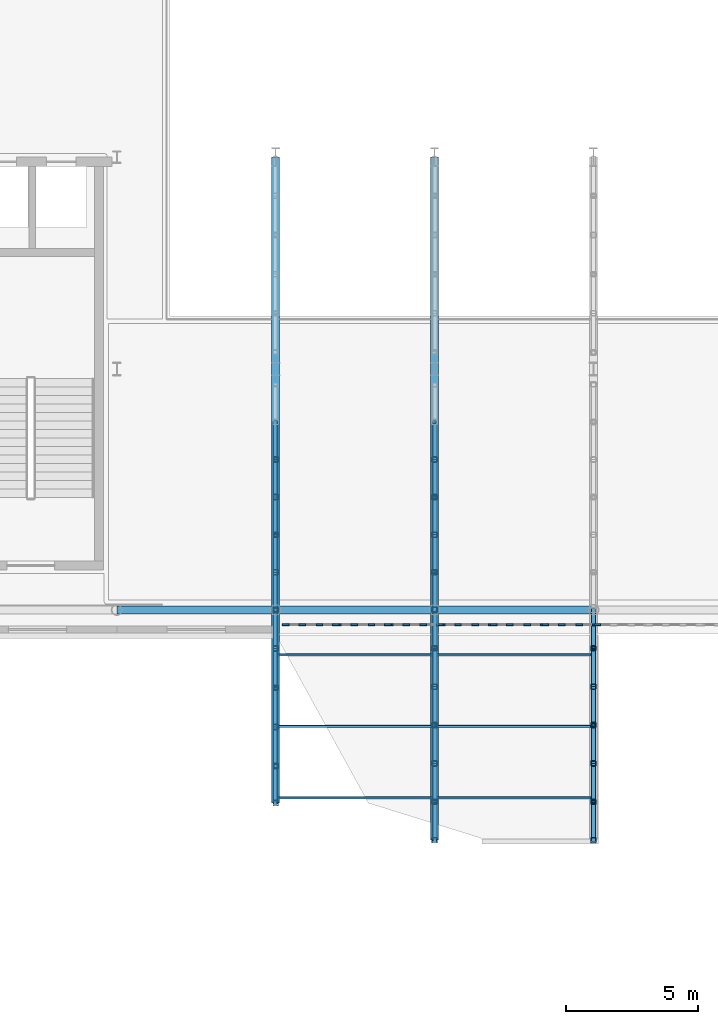
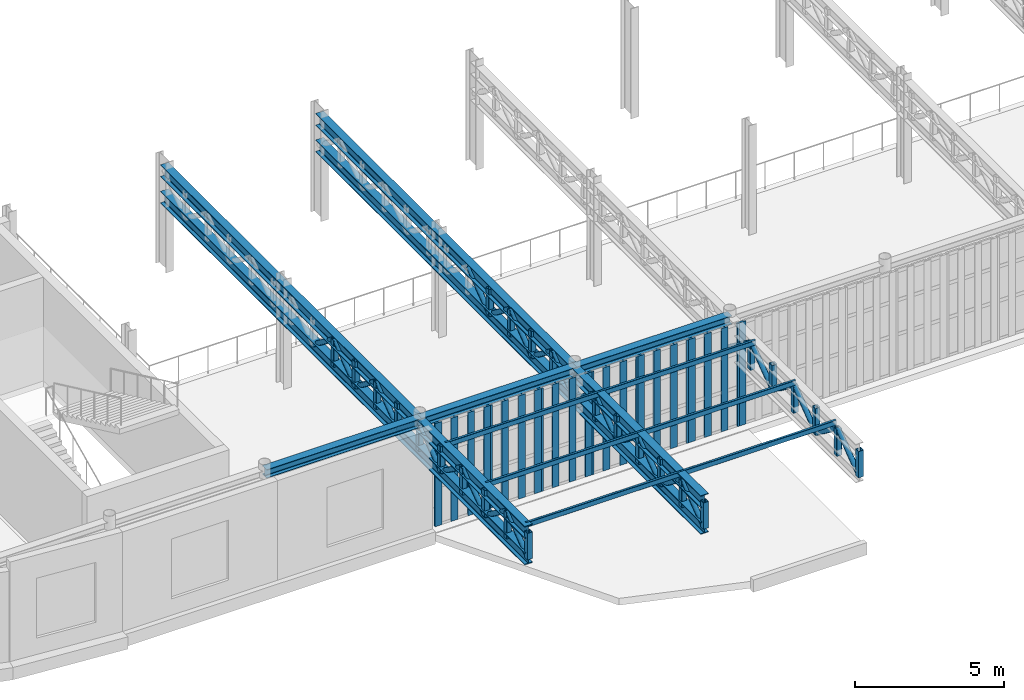
# One storey, part 21 of 91: 89 members, 3 beams, 7 elements without a shape of their own.
"""IFC4 building model written with IfcOpenShell, lengths in metres."""

from ifc_helpers import new_model, si_unit, direction, frame, origin, origin_2d, place, context, subcontext, project, spatial, rectangle, hollow_rectangle, hollow_circle, i_section, extrude, material, material_profile, profile_set, type_object, element, aggregate, save


model = new_model("IFC4")

# Units and contexts
model_context = context("Model", 3, precision=1e-05, world=origin(), true_north=direction((0.0, 1.0)))
body_context = subcontext(model_context, "Body", "Model", "MODEL_VIEW")
ifc_project = project(units=[si_unit("LENGTHUNIT", "METRE"), si_unit("AREAUNIT", "SQUARE_METRE"), si_unit("VOLUMEUNIT", "CUBIC_METRE"), si_unit("PLANEANGLEUNIT", "RADIAN"), si_unit("MASSUNIT", "GRAM", prefix="KILO")], contexts=[model_context])

# Site, building, storey
site_placement = place(None, origin())
site = spatial("IfcSite", under=ifc_project, at=site_placement, CompositionType="ELEMENT")
building_placement = place(site_placement, origin())
building = spatial("IfcBuilding", under=site, at=building_placement, Name="Kolvaren Corner Interchange", CompositionType="ELEMENT")
storey_placement = place(building_placement, frame((0.0, 0.0, 6.0)))
storey = spatial("IfcBuildingStorey", under=building, at=storey_placement, Name="L02", CompositionType="ELEMENT", Elevation=6.0)

# Beams
ifc_material_1 = material(Name="Steel S355", Category="steel")
ifc_material_profile_1 = material_profile(ifc_material_1, i_section(OverallWidth=0.300048828125, OverallDepth=0.35009765625, WebThickness=0.010009765625, FlangeThickness=0.017578125, FilletRadius=0.027099609375, at=origin_2d()), Name="HEA 360")
ifc_profile_set_1 = profile_set([ifc_material_profile_1], Name="Steel S355")
beam_type = type_object("IfcBeamType", Name="BM-HEA360", PredefinedType="BEAM", material=ifc_profile_set_1)
for number, where, z_axis, x_axis, name in (
    (1, (66.0, 24.89990234375, 4.074951171875), (1.0, 0.0, 0.0), (0.0, 1.0, 0.0), "Storey L02 Grid X Primary Girder 0542"),
    (2, (72.0, 24.89990234375, 4.074951171875), (1.0, 0.0, 0.0), (0.0, 1.0, 0.0), "Storey L02 Grid X Primary Girder 0543"),
    (3, (78.0, 24.89990234375, 4.074951171875), (1.0, 0.0, 0.0), (0.0, 1.0, 0.0), "Storey L02 Grid X Primary Girder 0544"),
):
    element("IfcBeam", number, at=place(storey_placement, frame(where, z_axis=z_axis, x_axis=x_axis)), inside=storey, type_object=beam_type, Name=name, PredefinedType="BEAM", context=body_context, shape_type="SweptSolid", body=[
        extrude(i_section(OverallWidth=0.300048828125, OverallDepth=0.35009765625, WebThickness=0.010009765625, FlangeThickness=0.017578125, FilletRadius=0.027099609375, at=origin_2d()), origin(), (0.0, 0.0, 1.0), 6.0),
    ])

# Members
ifc_material_2 = material(Name="Steel S355", Category="steel")
ifc_material_profile_2 = material_profile(ifc_material_2, hollow_circle(Radius=0.096923828125, WallThickness=0.010009765625, at=origin_2d()), Name="CHS 193.7x10.0")
ifc_profile_set_2 = profile_set([ifc_material_profile_2], Name="Steel S355")
member_type_1 = type_object("IfcMemberType", Name="MEM-BR-CHS194", PredefinedType="BRACE", material=ifc_profile_set_2)
member_1_placement = place(storey_placement, frame((72.0, 17.60009765625, 2.889892578125), z_axis=(0.0, 0.791740279058, 0.610857864415), x_axis=(-1.0, 0.0, 0.0)))
element("IfcMember", 4, at=member_1_placement, inside=storey, type_object=member_type_1, Name="South Portal Cantilever Roof Truss L03 Line 1 Diagonal 01", PredefinedType="BRACE", context=body_context, shape_type="SweptSolid", body=[
    extrude(hollow_circle(Radius=0.096923828125, WallThickness=0.010009765625, at=origin_2d()), origin(), (0.0, 0.0, 1.0), 1.76806640625),
])
for number, where, z_axis, x_axis, name in (
    (5, (72.0, 19.0, 3.969970703125), (0.0, 0.807766939163, -0.589501969458), (-1.0, 0.0, 0.0), "South Portal Cantilever Roof Truss L03 Line 1 Diagonal 02"),
    (6, (72.0, 20.47998046875, 2.889892578125), (0.0, 0.807766939163, 0.589501969458), (-1.0, 0.0, 0.0), "South Portal Cantilever Roof Truss L03 Line 1 Diagonal 03"),
    (7, (72.0, 21.9599609375, 3.969970703125), (0.0, 0.807766939163, -0.589501969458), (-1.0, 0.0, 0.0), "South Portal Cantilever Roof Truss L03 Line 1 Diagonal 04"),
):
    element("IfcMember", number, at=place(storey_placement, frame(where, z_axis=z_axis, x_axis=x_axis)), inside=storey, type_object=member_type_1, Name=name, PredefinedType="BRACE", context=body_context, shape_type="SweptSolid", body=[
        extrude(hollow_circle(Radius=0.096923828125, WallThickness=0.010009765625, at=origin_2d()), origin(), (0.0, 0.0, 1.0), 1.832275390625),
    ])
member_2_placement = place(storey_placement, frame((72.0, 23.43994140625, 2.889892578125), z_axis=(0.0, 0.803919029911, 0.594738760589), x_axis=(-1.0, 0.0, 0.0)))
element("IfcMember", 8, at=member_2_placement, inside=storey, type_object=member_type_1, Name="South Portal Cantilever Roof Truss L03 Line 1 Diagonal 05", PredefinedType="BRACE", context=body_context, shape_type="SweptSolid", body=[
    extrude(hollow_circle(Radius=0.096923828125, WallThickness=0.010009765625, at=origin_2d()), origin(), (0.0, 0.0, 1.0), 1.816162109375),
])
member_3_placement = place(storey_placement, frame((72.0, 24.89990234375, 3.969970703125), z_axis=(0.0, 0.795959119821, -0.605350377529), x_axis=(-1.0, 0.0, 0.0)))
element("IfcMember", 9, at=member_3_placement, inside=storey, type_object=member_type_1, Name="South Portal Cantilever Roof Truss L03 Line 1 Diagonal 06", PredefinedType="BRACE", context=body_context, shape_type="SweptSolid", body=[
    extrude(hollow_circle(Radius=0.096923828125, WallThickness=0.010009765625, at=origin_2d()), origin(), (0.0, 0.0, 1.0), 1.7841796875),
])
for number, where, z_axis, x_axis, name in (
    (10, (72.0, 26.320068359375, 2.889892578125), (0.0, 0.795908969203, 0.605416313575), (-1.0, 0.0, 0.0), "South Portal Cantilever Roof Truss L03 Line 1 Diagonal 07"),
    (11, (72.0, 27.739990234375, 3.969970703125), (0.0, 0.795908969203, -0.605416313575), (-1.0, 0.0, 0.0), "South Portal Cantilever Roof Truss L03 Line 1 Diagonal 08"),
):
    element("IfcMember", number, at=place(storey_placement, frame(where, z_axis=z_axis, x_axis=x_axis)), inside=storey, type_object=member_type_1, Name=name, PredefinedType="BRACE", context=body_context, shape_type="SweptSolid", body=[
        extrude(hollow_circle(Radius=0.096923828125, WallThickness=0.010009765625, at=origin_2d()), origin(), (0.0, 0.0, 1.0), 1.783935546875),
    ])
member_4_placement = place(storey_placement, frame((72.0, 29.159912109375, 2.889892578125), z_axis=(0.0, 0.795959119821, 0.605350377529), x_axis=(-1.0, 0.0, 0.0)))
element("IfcMember", 12, at=member_4_placement, inside=storey, type_object=member_type_1, Name="South Portal Cantilever Roof Truss L03 Line 1 Diagonal 09", PredefinedType="BRACE", context=body_context, shape_type="SweptSolid", body=[
    extrude(hollow_circle(Radius=0.096923828125, WallThickness=0.010009765625, at=origin_2d()), origin(), (0.0, 0.0, 1.0), 1.7841796875),
])
member_5_placement = place(storey_placement, frame((72.0, 30.580078125, 3.969970703125), z_axis=(0.0, 0.795908969203, -0.605416313575), x_axis=(-1.0, 0.0, 0.0)))
element("IfcMember", 13, at=member_5_placement, inside=storey, type_object=member_type_1, Name="South Portal Cantilever Roof Truss L03 Line 1 Diagonal 10", PredefinedType="BRACE", context=body_context, shape_type="SweptSolid", body=[
    extrude(hollow_circle(Radius=0.096923828125, WallThickness=0.010009765625, at=origin_2d()), origin(), (0.0, 0.0, 1.0), 1.783935546875),
])
for number, where, z_axis, x_axis, name in (
    (14, (78.0, 16.199951171875, 2.889892578125), (0.0, 0.801956396571, 0.59738257256), (-1.0, 0.0, 0.0), "South Portal Cantilever Roof Truss L03 Line 2 Diagonal 01"),
    (15, (78.0, 17.64990234375, 3.969970703125), (0.0, 0.802004577147, -0.597317887088), (-1.0, 0.0, 0.0), "South Portal Cantilever Roof Truss L03 Line 2 Diagonal 02"),
    (16, (78.0, 19.10009765625, 2.889892578125), (0.0, 0.801956396571, 0.59738257256), (-1.0, 0.0, 0.0), "South Portal Cantilever Roof Truss L03 Line 2 Diagonal 03"),
    (17, (78.0, 20.550048828125, 3.969970703125), (0.0, 0.801956396571, -0.59738257256), (-1.0, 0.0, 0.0), "South Portal Cantilever Roof Truss L03 Line 2 Diagonal 04"),
    (18, (78.0, 22.0, 2.889892578125), (0.0, 0.801956396571, 0.59738257256), (-1.0, 0.0, 0.0), "South Portal Cantilever Roof Truss L03 Line 2 Diagonal 05"),
    (19, (78.0, 23.449951171875, 3.969970703125), (0.0, 0.801956396571, -0.59738257256), (-1.0, 0.0, 0.0), "South Portal Cantilever Roof Truss L03 Line 2 Diagonal 06"),
):
    element("IfcMember", number, at=place(storey_placement, frame(where, z_axis=z_axis, x_axis=x_axis)), inside=storey, type_object=member_type_1, Name=name, PredefinedType="BRACE", context=body_context, shape_type="SweptSolid", body=[
        extrude(hollow_circle(Radius=0.096923828125, WallThickness=0.010009765625, at=origin_2d()), origin(), (0.0, 0.0, 1.0), 1.80810546875),
    ])
member_6_placement = place(storey_placement, frame((78.0, 24.89990234375, 2.889892578125), z_axis=(0.0, 0.795959119821, 0.605350377529), x_axis=(-1.0, 0.0, 0.0)))
element("IfcMember", 20, at=member_6_placement, inside=storey, type_object=member_type_1, Name="South Portal Cantilever Roof Truss L03 Line 2 Diagonal 07", PredefinedType="BRACE", context=body_context, shape_type="SweptSolid", body=[
    extrude(hollow_circle(Radius=0.096923828125, WallThickness=0.010009765625, at=origin_2d()), origin(), (0.0, 0.0, 1.0), 1.7841796875),
])
for number, where, z_axis, x_axis, name in (
    (21, (78.0, 26.320068359375, 3.969970703125), (0.0, 0.795908969203, -0.605416313575), (-1.0, 0.0, 0.0), "South Portal Cantilever Roof Truss L03 Line 2 Diagonal 08"),
    (22, (78.0, 27.739990234375, 2.889892578125), (0.0, 0.795908969203, 0.605416313575), (-1.0, 0.0, 0.0), "South Portal Cantilever Roof Truss L03 Line 2 Diagonal 09"),
):
    element("IfcMember", number, at=place(storey_placement, frame(where, z_axis=z_axis, x_axis=x_axis)), inside=storey, type_object=member_type_1, Name=name, PredefinedType="BRACE", context=body_context, shape_type="SweptSolid", body=[
        extrude(hollow_circle(Radius=0.096923828125, WallThickness=0.010009765625, at=origin_2d()), origin(), (0.0, 0.0, 1.0), 1.783935546875),
    ])
member_7_placement = place(storey_placement, frame((78.0, 29.159912109375, 3.969970703125), z_axis=(0.0, 0.795959119821, -0.605350377529), x_axis=(-1.0, 0.0, 0.0)))
element("IfcMember", 23, at=member_7_placement, inside=storey, type_object=member_type_1, Name="South Portal Cantilever Roof Truss L03 Line 2 Diagonal 10", PredefinedType="BRACE", context=body_context, shape_type="SweptSolid", body=[
    extrude(hollow_circle(Radius=0.096923828125, WallThickness=0.010009765625, at=origin_2d()), origin(), (0.0, 0.0, 1.0), 1.7841796875),
])
member_8_placement = place(storey_placement, frame((78.0, 30.580078125, 2.889892578125), z_axis=(0.0, 0.795908969203, 0.605416313575), x_axis=(-1.0, 0.0, 0.0)))
element("IfcMember", 24, at=member_8_placement, inside=storey, type_object=member_type_1, Name="South Portal Cantilever Roof Truss L03 Line 2 Diagonal 11", PredefinedType="BRACE", context=body_context, shape_type="SweptSolid", body=[
    extrude(hollow_circle(Radius=0.096923828125, WallThickness=0.010009765625, at=origin_2d()), origin(), (0.0, 0.0, 1.0), 1.783935546875),
])
for number, where, z_axis, x_axis, name in (
    (25, (84.0, 16.199951171875, 2.889892578125), (0.0, 0.801956396571, 0.59738257256), (-1.0, 0.0, 0.0), "South Portal Cantilever Roof Truss L03 Line 3 Diagonal 01"),
    (26, (84.0, 17.64990234375, 3.969970703125), (0.0, 0.802004577147, -0.597317887088), (-1.0, 0.0, 0.0), "South Portal Cantilever Roof Truss L03 Line 3 Diagonal 02"),
    (27, (84.0, 19.10009765625, 2.889892578125), (0.0, 0.801956396571, 0.59738257256), (-1.0, 0.0, 0.0), "South Portal Cantilever Roof Truss L03 Line 3 Diagonal 03"),
    (28, (84.0, 20.550048828125, 3.969970703125), (0.0, 0.801956396571, -0.59738257256), (-1.0, 0.0, 0.0), "South Portal Cantilever Roof Truss L03 Line 3 Diagonal 04"),
    (29, (84.0, 22.0, 2.889892578125), (0.0, 0.801956396571, 0.59738257256), (-1.0, 0.0, 0.0), "South Portal Cantilever Roof Truss L03 Line 3 Diagonal 05"),
    (30, (84.0, 23.449951171875, 3.969970703125), (0.0, 0.801956396571, -0.59738257256), (-1.0, 0.0, 0.0), "South Portal Cantilever Roof Truss L03 Line 3 Diagonal 06"),
):
    element("IfcMember", number, at=place(storey_placement, frame(where, z_axis=z_axis, x_axis=x_axis)), inside=storey, type_object=member_type_1, Name=name, PredefinedType="BRACE", context=body_context, shape_type="SweptSolid", body=[
        extrude(hollow_circle(Radius=0.096923828125, WallThickness=0.010009765625, at=origin_2d()), origin(), (0.0, 0.0, 1.0), 1.80810546875),
    ])
ifc_material_3 = material(Name="Steel S355", Category="steel")
ifc_material_profile_3 = material_profile(ifc_material_3, i_section(OverallWidth=0.300048828125, OverallDepth=0.5, WebThickness=0.014404296875, FlangeThickness=0.028076171875, FilletRadius=0.027099609375, at=origin_2d()), Name="HEB 500")
ifc_profile_set_3 = profile_set([ifc_material_profile_3], Name="Steel S355")
member_type_2 = type_object("IfcMemberType", Name="MEM-CH-HEB500", PredefinedType="CHORD", material=ifc_profile_set_3)
for number, where, z_axis, x_axis, name in (
    (31, (72.0, 17.60009765625, 3.969970703125), (0.0, 1.0, 0.0), (-1.0, 0.0, 0.0), "South Portal Cantilever Roof Truss L03 Line 1 Top Chord"),
    (32, (72.0, 17.60009765625, 2.889892578125), (0.0, 1.0, 0.0), (-1.0, 0.0, 0.0), "South Portal Cantilever Roof Truss L03 Line 1 Bottom Chord"),
):
    element("IfcMember", number, at=place(storey_placement, frame(where, z_axis=z_axis, x_axis=x_axis)), inside=storey, type_object=member_type_2, Name=name, PredefinedType="CHORD", context=body_context, shape_type="SweptSolid", body=[
        extrude(i_section(OverallWidth=0.300048828125, OverallDepth=0.5, WebThickness=0.014404296875, FlangeThickness=0.028076171875, FilletRadius=0.027099609375, at=origin_2d()), origin(), (0.0, 0.0, 1.0), 24.39990234375),
    ])
for number, where, z_axis, x_axis, name in (
    (33, (78.0, 16.199951171875, 3.969970703125), (0.0, 1.0, 0.0), (-1.0, 0.0, 0.0), "South Portal Cantilever Roof Truss L03 Line 2 Top Chord"),
    (34, (78.0, 16.199951171875, 2.889892578125), (0.0, 1.0, 0.0), (-1.0, 0.0, 0.0), "South Portal Cantilever Roof Truss L03 Line 2 Bottom Chord"),
):
    element("IfcMember", number, at=place(storey_placement, frame(where, z_axis=z_axis, x_axis=x_axis)), inside=storey, type_object=member_type_2, Name=name, PredefinedType="CHORD", context=body_context, shape_type="SweptSolid", body=[
        extrude(i_section(OverallWidth=0.300048828125, OverallDepth=0.5, WebThickness=0.014404296875, FlangeThickness=0.028076171875, FilletRadius=0.027099609375, at=origin_2d()), origin(), (0.0, 0.0, 1.0), 25.800048828125),
    ])
ifc_material_4 = material(Name="Steel S355", Category="steel")
ifc_material_profile_4 = material_profile(ifc_material_4, hollow_rectangle(XDim=0.10009765625, YDim=0.199951171875, WallThickness=0.008056640625, InnerFilletRadius=0.008056640625, OuterFilletRadius=0.01611328125, at=origin_2d()), Name="RHS 200x100x8.0")
ifc_profile_set_4 = profile_set([ifc_material_profile_4], Name="Steel S355")
member_type_3 = type_object("IfcMemberType", Name="MEM-PR-RHS200", PredefinedType="PURLIN", material=ifc_profile_set_4)
for number, where, z_axis, x_axis, name in (
    (35, (72.0, 17.800048828125, 4.1201171875), (1.0, 0.0, 0.0), (0.0, 1.0, 0.0), "South Portal Cantilever Roof Truss L03 Purlin 1 Bay 72"),
    (36, (78.0, 17.800048828125, 4.1201171875), (1.0, 0.0, 0.0), (0.0, 1.0, 0.0), "South Portal Cantilever Roof Truss L03 Purlin 1 Bay 78"),
    (37, (72.0, 20.5, 4.1201171875), (1.0, 0.0, 0.0), (0.0, 1.0, 0.0), "South Portal Cantilever Roof Truss L03 Purlin 2 Bay 72"),
    (38, (78.0, 20.5, 4.1201171875), (1.0, 0.0, 0.0), (0.0, 1.0, 0.0), "South Portal Cantilever Roof Truss L03 Purlin 2 Bay 78"),
    (39, (72.0, 23.199951171875, 4.1201171875), (1.0, 0.0, 0.0), (0.0, 1.0, 0.0), "South Portal Cantilever Roof Truss L03 Purlin 3 Bay 72"),
    (40, (78.0, 23.199951171875, 4.1201171875), (1.0, 0.0, 0.0), (0.0, 1.0, 0.0), "South Portal Cantilever Roof Truss L03 Purlin 3 Bay 78"),
):
    element("IfcMember", number, at=place(storey_placement, frame(where, z_axis=z_axis, x_axis=x_axis)), inside=storey, type_object=member_type_3, Name=name, PredefinedType="PURLIN", context=body_context, shape_type="SweptSolid", body=[
        extrude(hollow_rectangle(XDim=0.10009765625, YDim=0.199951171875, WallThickness=0.008056640625, InnerFilletRadius=0.008056640625, OuterFilletRadius=0.01611328125, at=origin_2d()), origin(), (0.0, 0.0, 1.0), 6.0),
    ])
ifc_material_5 = material(Name="Steel S355", Category="steel")
ifc_material_profile_5 = material_profile(ifc_material_5, hollow_rectangle(XDim=0.199951171875, YDim=0.199951171875, WallThickness=0.010009765625, InnerFilletRadius=0.010009765625, OuterFilletRadius=0.02001953125, at=origin_2d()), Name="SHS 200x200x10.0")
ifc_profile_set_5 = profile_set([ifc_material_profile_5], Name="Steel S355")
member_type_4 = type_object("IfcMemberType", Name="MEM-PT-SHS200", PredefinedType="POST", material=ifc_profile_set_5)
for number, where, z_axis, x_axis, name in (
    (41, (72.0, 17.60009765625, 2.889892578125), (0.0, 0.0, 1.0), (1.0, 0.0, 0.0), "South Portal Cantilever Roof Truss L03 Line 1 Web Post 01"),
    (42, (72.0, 19.0, 2.889892578125), (0.0, 0.0, 1.0), (1.0, 0.0, 0.0), "South Portal Cantilever Roof Truss L03 Line 1 Web Post 02"),
    (43, (72.0, 20.47998046875, 2.889892578125), (0.0, 0.0, 1.0), (1.0, 0.0, 0.0), "South Portal Cantilever Roof Truss L03 Line 1 Web Post 03"),
    (44, (72.0, 21.9599609375, 2.889892578125), (0.0, 0.0, 1.0), (1.0, 0.0, 0.0), "South Portal Cantilever Roof Truss L03 Line 1 Web Post 04"),
    (45, (72.0, 23.43994140625, 2.889892578125), (0.0, 0.0, 1.0), (1.0, 0.0, 0.0), "South Portal Cantilever Roof Truss L03 Line 1 Web Post 05"),
    (46, (72.0, 24.89990234375, 2.889892578125), (0.0, 0.0, 1.0), (1.0, 0.0, 0.0), "South Portal Cantilever Roof Truss L03 Line 1 Web Post 06"),
    (47, (72.0, 26.320068359375, 2.889892578125), (0.0, 0.0, 1.0), (1.0, 0.0, 0.0), "South Portal Cantilever Roof Truss L03 Line 1 Web Post 07"),
    (48, (72.0, 27.739990234375, 2.889892578125), (0.0, 0.0, 1.0), (1.0, 0.0, 0.0), "South Portal Cantilever Roof Truss L03 Line 1 Web Post 08"),
    (49, (72.0, 29.159912109375, 2.889892578125), (0.0, 0.0, 1.0), (1.0, 0.0, 0.0), "South Portal Cantilever Roof Truss L03 Line 1 Web Post 09"),
    (50, (72.0, 30.580078125, 2.889892578125), (0.0, 0.0, 1.0), (1.0, 0.0, 0.0), "South Portal Cantilever Roof Truss L03 Line 1 Web Post 10"),
    (51, (78.0, 16.199951171875, 2.889892578125), (0.0, 0.0, 1.0), (1.0, 0.0, 0.0), "South Portal Cantilever Roof Truss L03 Line 2 Web Post 01"),
    (52, (78.0, 17.64990234375, 2.889892578125), (0.0, 0.0, 1.0), (1.0, 0.0, 0.0), "South Portal Cantilever Roof Truss L03 Line 2 Web Post 02"),
    (53, (78.0, 19.10009765625, 2.889892578125), (0.0, 0.0, 1.0), (1.0, 0.0, 0.0), "South Portal Cantilever Roof Truss L03 Line 2 Web Post 03"),
    (54, (78.0, 20.550048828125, 2.889892578125), (0.0, 0.0, 1.0), (1.0, 0.0, 0.0), "South Portal Cantilever Roof Truss L03 Line 2 Web Post 04"),
    (55, (78.0, 22.0, 2.889892578125), (0.0, 0.0, 1.0), (1.0, 0.0, 0.0), "South Portal Cantilever Roof Truss L03 Line 2 Web Post 05"),
    (56, (78.0, 23.449951171875, 2.889892578125), (0.0, 0.0, 1.0), (1.0, 0.0, 0.0), "South Portal Cantilever Roof Truss L03 Line 2 Web Post 06"),
    (57, (78.0, 24.89990234375, 2.889892578125), (0.0, 0.0, 1.0), (1.0, 0.0, 0.0), "South Portal Cantilever Roof Truss L03 Line 2 Web Post 07"),
    (58, (78.0, 26.320068359375, 2.889892578125), (0.0, 0.0, 1.0), (1.0, 0.0, 0.0), "South Portal Cantilever Roof Truss L03 Line 2 Web Post 08"),
    (59, (78.0, 27.739990234375, 2.889892578125), (0.0, 0.0, 1.0), (1.0, 0.0, 0.0), "South Portal Cantilever Roof Truss L03 Line 2 Web Post 09"),
    (60, (78.0, 29.159912109375, 2.889892578125), (0.0, 0.0, 1.0), (1.0, 0.0, 0.0), "South Portal Cantilever Roof Truss L03 Line 2 Web Post 10"),
    (61, (78.0, 30.580078125, 2.889892578125), (0.0, 0.0, 1.0), (1.0, 0.0, 0.0), "South Portal Cantilever Roof Truss L03 Line 2 Web Post 11"),
    (62, (84.0, 16.199951171875, 2.889892578125), (0.0, 0.0, 1.0), (1.0, 0.0, 0.0), "South Portal Cantilever Roof Truss L03 Line 3 Web Post 01"),
    (63, (84.0, 17.64990234375, 2.889892578125), (0.0, 0.0, 1.0), (1.0, 0.0, 0.0), "South Portal Cantilever Roof Truss L03 Line 3 Web Post 02"),
    (64, (84.0, 19.10009765625, 2.889892578125), (0.0, 0.0, 1.0), (1.0, 0.0, 0.0), "South Portal Cantilever Roof Truss L03 Line 3 Web Post 03"),
    (65, (84.0, 20.550048828125, 2.889892578125), (0.0, 0.0, 1.0), (1.0, 0.0, 0.0), "South Portal Cantilever Roof Truss L03 Line 3 Web Post 04"),
    (66, (84.0, 22.0, 2.889892578125), (0.0, 0.0, 1.0), (1.0, 0.0, 0.0), "South Portal Cantilever Roof Truss L03 Line 3 Web Post 05"),
    (67, (84.0, 23.449951171875, 2.889892578125), (0.0, 0.0, 1.0), (1.0, 0.0, 0.0), "South Portal Cantilever Roof Truss L03 Line 3 Web Post 06"),
):
    element("IfcMember", number, at=place(storey_placement, frame(where, z_axis=z_axis, x_axis=x_axis)), inside=storey, type_object=member_type_4, Name=name, PredefinedType="POST", context=body_context, shape_type="SweptSolid", body=[
        extrude(hollow_rectangle(XDim=0.199951171875, YDim=0.199951171875, WallThickness=0.010009765625, InnerFilletRadius=0.010009765625, OuterFilletRadius=0.02001953125, at=origin_2d()), origin(), (0.0, 0.0, 1.0), 1.080078125),
    ])

# Curtain wall, members
ifc_material_6 = material(Name="Unitised Aluminium and Solar-Control Glass Curtain Wall", Category="aluminium")
curtain_wall_type = type_object("IfcCurtainWallType", Name="CW-V1-MEZZ", PredefinedType="NOTDEFINED", material=ifc_material_6)
curtain_wall_1_placement = place(storey_placement, origin())
curtain_wall_1 = element("IfcCurtainWall", 68, at=curtain_wall_1_placement, inside=storey, type_object=curtain_wall_type, Name="South Portal Mezzanine Curtain Wall Bay 01", PredefinedType="NOTDEFINED")
ifc_material_7 = material(Name="Anodised Aluminium Framing", Category="aluminium")
ifc_material_profile_6 = material_profile(ifc_material_7, rectangle(XDim=0.074951171875, YDim=0.260009765625, at=origin_2d()), Name="ALU 75x260")
ifc_profile_set_6 = profile_set([ifc_material_profile_6], Name="Anodised Aluminium Framing")
member_type_5 = type_object("IfcMemberType", Name="MUL-ALU75x260", PredefinedType="MULLION", material=ifc_profile_set_6)
member_9_placement = place(storey_placement, frame((72.387451171875, 24.340087890625, 0.0), z_axis=(0.0, 0.0, 1.0), x_axis=(0.0, 1.0, 0.0)))
member_9 = element("IfcMember", 69, at=member_9_placement, type_object=member_type_5, Name="CW-019 mullion 1", PredefinedType="MULLION", context=body_context, shape_type="SweptSolid", body=[
    extrude(rectangle(XDim=0.074951171875, YDim=0.260009765625, at=origin_2d()), origin(), (0.0, 0.0, 1.0), 4.219970703125),
])
member_10_placement = place(storey_placement, frame((73.003662109375, 24.340087890625, 0.0), z_axis=(0.0, 0.0, 1.0), x_axis=(0.0, 1.0, 0.0)))
member_10 = element("IfcMember", 70, at=member_10_placement, type_object=member_type_5, Name="CW-019 mullion 2", PredefinedType="MULLION", context=body_context, shape_type="SweptSolid", body=[
    extrude(rectangle(XDim=0.074951171875, YDim=0.260009765625, at=origin_2d()), origin(), (0.0, 0.0, 1.0), 4.219970703125),
])
member_11_placement = place(storey_placement, frame((73.657470703125, 24.340087890625, 0.0), z_axis=(0.0, 0.0, 1.0), x_axis=(0.0, 1.0, 0.0)))
member_11 = element("IfcMember", 71, at=member_11_placement, type_object=member_type_5, Name="CW-019 mullion 3", PredefinedType="MULLION", context=body_context, shape_type="SweptSolid", body=[
    extrude(rectangle(XDim=0.074951171875, YDim=0.260009765625, at=origin_2d()), origin(), (0.0, 0.0, 1.0), 4.219970703125),
])
member_12_placement = place(storey_placement, frame((74.273681640625, 24.340087890625, 0.0), z_axis=(0.0, 0.0, 1.0), x_axis=(0.0, 1.0, 0.0)))
member_12 = element("IfcMember", 72, at=member_12_placement, type_object=member_type_5, Name="CW-019 mullion 4", PredefinedType="MULLION", context=body_context, shape_type="SweptSolid", body=[
    extrude(rectangle(XDim=0.074951171875, YDim=0.260009765625, at=origin_2d()), origin(), (0.0, 0.0, 1.0), 4.219970703125),
])
aggregate(curtain_wall_1, [member_9, member_10, member_11, member_12])

curtain_wall_2_placement = place(storey_placement, origin())
curtain_wall_2 = element("IfcCurtainWall", 73, at=curtain_wall_2_placement, inside=storey, type_object=curtain_wall_type, Name="South Portal Mezzanine Curtain Wall Bay 02", PredefinedType="NOTDEFINED")
member_13_placement = place(storey_placement, frame((74.3486328125, 24.340087890625, 0.0), z_axis=(0.0, 0.0, 1.0), x_axis=(0.0, 1.0, 0.0)))
member_13 = element("IfcMember", 74, at=member_13_placement, type_object=member_type_5, Name="CW-020 mullion 1", PredefinedType="MULLION", context=body_context, shape_type="SweptSolid", body=[
    extrude(rectangle(XDim=0.074951171875, YDim=0.260009765625, at=origin_2d()), origin(), (0.0, 0.0, 1.0), 4.219970703125),
])
member_14_placement = place(storey_placement, frame((74.96484375, 24.340087890625, 0.0), z_axis=(0.0, 0.0, 1.0), x_axis=(0.0, 1.0, 0.0)))
member_14 = element("IfcMember", 75, at=member_14_placement, type_object=member_type_5, Name="CW-020 mullion 2", PredefinedType="MULLION", context=body_context, shape_type="SweptSolid", body=[
    extrude(rectangle(XDim=0.074951171875, YDim=0.260009765625, at=origin_2d()), origin(), (0.0, 0.0, 1.0), 4.219970703125),
])
member_15_placement = place(storey_placement, frame((75.618408203125, 24.340087890625, 0.0), z_axis=(0.0, 0.0, 1.0), x_axis=(0.0, 1.0, 0.0)))
member_15 = element("IfcMember", 76, at=member_15_placement, type_object=member_type_5, Name="CW-020 mullion 3", PredefinedType="MULLION", context=body_context, shape_type="SweptSolid", body=[
    extrude(rectangle(XDim=0.074951171875, YDim=0.260009765625, at=origin_2d()), origin(), (0.0, 0.0, 1.0), 4.219970703125),
])
member_16_placement = place(storey_placement, frame((76.234619140625, 24.340087890625, 0.0), z_axis=(0.0, 0.0, 1.0), x_axis=(0.0, 1.0, 0.0)))
member_16 = element("IfcMember", 77, at=member_16_placement, type_object=member_type_5, Name="CW-020 mullion 4", PredefinedType="MULLION", context=body_context, shape_type="SweptSolid", body=[
    extrude(rectangle(XDim=0.074951171875, YDim=0.260009765625, at=origin_2d()), origin(), (0.0, 0.0, 1.0), 4.219970703125),
])
aggregate(curtain_wall_2, [member_13, member_14, member_15, member_16])

curtain_wall_3_placement = place(storey_placement, origin())
curtain_wall_3 = element("IfcCurtainWall", 78, at=curtain_wall_3_placement, inside=storey, type_object=curtain_wall_type, Name="South Portal Mezzanine Curtain Wall Bay 03", PredefinedType="NOTDEFINED")
member_17_placement = place(storey_placement, frame((76.309814453125, 24.340087890625, 0.0), z_axis=(0.0, 0.0, 1.0), x_axis=(0.0, 1.0, 0.0)))
member_17 = element("IfcMember", 79, at=member_17_placement, type_object=member_type_5, Name="CW-021 mullion 1", PredefinedType="MULLION", context=body_context, shape_type="SweptSolid", body=[
    extrude(rectangle(XDim=0.074951171875, YDim=0.260009765625, at=origin_2d()), origin(), (0.0, 0.0, 1.0), 4.219970703125),
])
member_18_placement = place(storey_placement, frame((76.92578125, 24.340087890625, 0.0), z_axis=(0.0, 0.0, 1.0), x_axis=(0.0, 1.0, 0.0)))
member_18 = element("IfcMember", 80, at=member_18_placement, type_object=member_type_5, Name="CW-021 mullion 2", PredefinedType="MULLION", context=body_context, shape_type="SweptSolid", body=[
    extrude(rectangle(XDim=0.074951171875, YDim=0.260009765625, at=origin_2d()), origin(), (0.0, 0.0, 1.0), 4.219970703125),
])
member_19_placement = place(storey_placement, frame((77.57958984375, 24.340087890625, 0.0), z_axis=(0.0, 0.0, 1.0), x_axis=(0.0, 1.0, 0.0)))
member_19 = element("IfcMember", 81, at=member_19_placement, type_object=member_type_5, Name="CW-021 mullion 3", PredefinedType="MULLION", context=body_context, shape_type="SweptSolid", body=[
    extrude(rectangle(XDim=0.074951171875, YDim=0.260009765625, at=origin_2d()), origin(), (0.0, 0.0, 1.0), 4.219970703125),
])
member_20_placement = place(storey_placement, frame((78.19580078125, 24.340087890625, 0.0), z_axis=(0.0, 0.0, 1.0), x_axis=(0.0, 1.0, 0.0)))
member_20 = element("IfcMember", 82, at=member_20_placement, type_object=member_type_5, Name="CW-021 mullion 4", PredefinedType="MULLION", context=body_context, shape_type="SweptSolid", body=[
    extrude(rectangle(XDim=0.074951171875, YDim=0.260009765625, at=origin_2d()), origin(), (0.0, 0.0, 1.0), 4.219970703125),
])
aggregate(curtain_wall_3, [member_17, member_18, member_19, member_20])

curtain_wall_4_placement = place(storey_placement, origin())
curtain_wall_4 = element("IfcCurtainWall", 83, at=curtain_wall_4_placement, inside=storey, type_object=curtain_wall_type, Name="South Portal Mezzanine Curtain Wall Bay 04", PredefinedType="NOTDEFINED")
member_21_placement = place(storey_placement, frame((78.270751953125, 24.340087890625, 0.0), z_axis=(0.0, 0.0, 1.0), x_axis=(0.0, 1.0, 0.0)))
member_21 = element("IfcMember", 84, at=member_21_placement, type_object=member_type_5, Name="CW-022 mullion 1", PredefinedType="MULLION", context=body_context, shape_type="SweptSolid", body=[
    extrude(rectangle(XDim=0.074951171875, YDim=0.260009765625, at=origin_2d()), origin(), (0.0, 0.0, 1.0), 4.219970703125),
])
member_22_placement = place(storey_placement, frame((78.886962890625, 24.340087890625, 0.0), z_axis=(0.0, 0.0, 1.0), x_axis=(0.0, 1.0, 0.0)))
member_22 = element("IfcMember", 85, at=member_22_placement, type_object=member_type_5, Name="CW-022 mullion 2", PredefinedType="MULLION", context=body_context, shape_type="SweptSolid", body=[
    extrude(rectangle(XDim=0.074951171875, YDim=0.260009765625, at=origin_2d()), origin(), (0.0, 0.0, 1.0), 4.219970703125),
])
member_23_placement = place(storey_placement, frame((79.540771484375, 24.340087890625, 0.0), z_axis=(0.0, 0.0, 1.0), x_axis=(0.0, 1.0, 0.0)))
member_23 = element("IfcMember", 86, at=member_23_placement, type_object=member_type_5, Name="CW-022 mullion 3", PredefinedType="MULLION", context=body_context, shape_type="SweptSolid", body=[
    extrude(rectangle(XDim=0.074951171875, YDim=0.260009765625, at=origin_2d()), origin(), (0.0, 0.0, 1.0), 4.219970703125),
])
member_24_placement = place(storey_placement, frame((80.156982421875, 24.340087890625, 0.0), z_axis=(0.0, 0.0, 1.0), x_axis=(0.0, 1.0, 0.0)))
member_24 = element("IfcMember", 87, at=member_24_placement, type_object=member_type_5, Name="CW-022 mullion 4", PredefinedType="MULLION", context=body_context, shape_type="SweptSolid", body=[
    extrude(rectangle(XDim=0.074951171875, YDim=0.260009765625, at=origin_2d()), origin(), (0.0, 0.0, 1.0), 4.219970703125),
])
aggregate(curtain_wall_4, [member_21, member_22, member_23, member_24])

curtain_wall_5_placement = place(storey_placement, origin())
curtain_wall_5 = element("IfcCurtainWall", 88, at=curtain_wall_5_placement, inside=storey, type_object=curtain_wall_type, Name="South Portal Mezzanine Curtain Wall Bay 05", PredefinedType="NOTDEFINED")
member_25_placement = place(storey_placement, frame((80.23193359375, 24.340087890625, 0.0), z_axis=(0.0, 0.0, 1.0), x_axis=(0.0, 1.0, 0.0)))
member_25 = element("IfcMember", 89, at=member_25_placement, type_object=member_type_5, Name="CW-023 mullion 1", PredefinedType="MULLION", context=body_context, shape_type="SweptSolid", body=[
    extrude(rectangle(XDim=0.074951171875, YDim=0.260009765625, at=origin_2d()), origin(), (0.0, 0.0, 1.0), 4.219970703125),
])
member_26_placement = place(storey_placement, frame((80.84814453125, 24.340087890625, 0.0), z_axis=(0.0, 0.0, 1.0), x_axis=(0.0, 1.0, 0.0)))
member_26 = element("IfcMember", 90, at=member_26_placement, type_object=member_type_5, Name="CW-023 mullion 2", PredefinedType="MULLION", context=body_context, shape_type="SweptSolid", body=[
    extrude(rectangle(XDim=0.074951171875, YDim=0.260009765625, at=origin_2d()), origin(), (0.0, 0.0, 1.0), 4.219970703125),
])
member_27_placement = place(storey_placement, frame((81.501953125, 24.340087890625, 0.0), z_axis=(0.0, 0.0, 1.0), x_axis=(0.0, 1.0, 0.0)))
member_27 = element("IfcMember", 91, at=member_27_placement, type_object=member_type_5, Name="CW-023 mullion 3", PredefinedType="MULLION", context=body_context, shape_type="SweptSolid", body=[
    extrude(rectangle(XDim=0.074951171875, YDim=0.260009765625, at=origin_2d()), origin(), (0.0, 0.0, 1.0), 4.219970703125),
])
member_28_placement = place(storey_placement, frame((82.1181640625, 24.340087890625, 0.0), z_axis=(0.0, 0.0, 1.0), x_axis=(0.0, 1.0, 0.0)))
member_28 = element("IfcMember", 92, at=member_28_placement, type_object=member_type_5, Name="CW-023 mullion 4", PredefinedType="MULLION", context=body_context, shape_type="SweptSolid", body=[
    extrude(rectangle(XDim=0.074951171875, YDim=0.260009765625, at=origin_2d()), origin(), (0.0, 0.0, 1.0), 4.219970703125),
])
aggregate(curtain_wall_5, [member_25, member_26, member_27, member_28])

curtain_wall_6_placement = place(storey_placement, origin())
curtain_wall_6 = element("IfcCurtainWall", 93, at=curtain_wall_6_placement, inside=storey, type_object=curtain_wall_type, Name="South Portal Mezzanine Curtain Wall Bay 06", PredefinedType="NOTDEFINED")
member_29_placement = place(storey_placement, frame((82.193115234375, 24.340087890625, 0.0), z_axis=(0.0, 0.0, 1.0), x_axis=(0.0, 1.0, 0.0)))
member_29 = element("IfcMember", 94, at=member_29_placement, type_object=member_type_5, Name="CW-024 mullion 1", PredefinedType="MULLION", context=body_context, shape_type="SweptSolid", body=[
    extrude(rectangle(XDim=0.074951171875, YDim=0.260009765625, at=origin_2d()), origin(), (0.0, 0.0, 1.0), 4.219970703125),
])
member_30_placement = place(storey_placement, frame((82.809326171875, 24.340087890625, 0.0), z_axis=(0.0, 0.0, 1.0), x_axis=(0.0, 1.0, 0.0)))
member_30 = element("IfcMember", 95, at=member_30_placement, type_object=member_type_5, Name="CW-024 mullion 2", PredefinedType="MULLION", context=body_context, shape_type="SweptSolid", body=[
    extrude(rectangle(XDim=0.074951171875, YDim=0.260009765625, at=origin_2d()), origin(), (0.0, 0.0, 1.0), 4.219970703125),
])
member_31_placement = place(storey_placement, frame((83.462890625, 24.340087890625, 0.0), z_axis=(0.0, 0.0, 1.0), x_axis=(0.0, 1.0, 0.0)))
member_31 = element("IfcMember", 96, at=member_31_placement, type_object=member_type_5, Name="CW-024 mullion 3", PredefinedType="MULLION", context=body_context, shape_type="SweptSolid", body=[
    extrude(rectangle(XDim=0.074951171875, YDim=0.260009765625, at=origin_2d()), origin(), (0.0, 0.0, 1.0), 4.219970703125),
])
member_32_placement = place(storey_placement, frame((84.0791015625, 24.340087890625, 0.0), z_axis=(0.0, 0.0, 1.0), x_axis=(0.0, 1.0, 0.0)))
member_32 = element("IfcMember", 97, at=member_32_placement, type_object=member_type_5, Name="CW-024 mullion 4", PredefinedType="MULLION", context=body_context, shape_type="SweptSolid", body=[
    extrude(rectangle(XDim=0.074951171875, YDim=0.260009765625, at=origin_2d()), origin(), (0.0, 0.0, 1.0), 4.219970703125),
])
aggregate(curtain_wall_6, [member_29, member_30, member_31, member_32])

# Curtain wall, member
curtain_wall_7_placement = place(storey_placement, origin())
curtain_wall_7 = element("IfcCurtainWall", 98, at=curtain_wall_7_placement, inside=storey, type_object=curtain_wall_type, Name="South Portal Mezzanine Curtain Wall Bay 07", PredefinedType="NOTDEFINED")
member_33_placement = place(storey_placement, frame((84.154296875, 24.340087890625, 0.0), z_axis=(0.0, 0.0, 1.0), x_axis=(0.0, 1.0, 0.0)))
member_33 = element("IfcMember", 99, at=member_33_placement, type_object=member_type_5, Name="CW-025 mullion 1", PredefinedType="MULLION", context=body_context, shape_type="SweptSolid", body=[
    extrude(rectangle(XDim=0.074951171875, YDim=0.260009765625, at=origin_2d()), origin(), (0.0, 0.0, 1.0), 4.219970703125),
])
aggregate(curtain_wall_7, [member_33])

save(model, "model.ifc")
